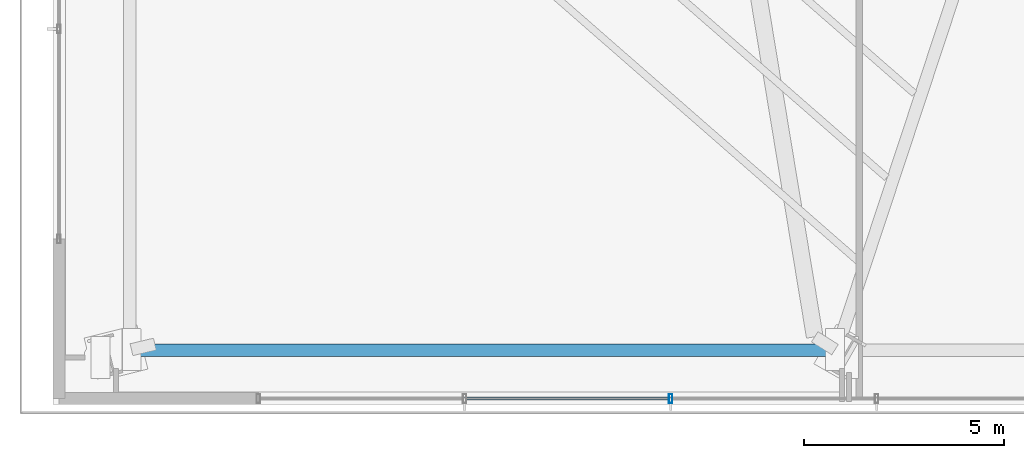
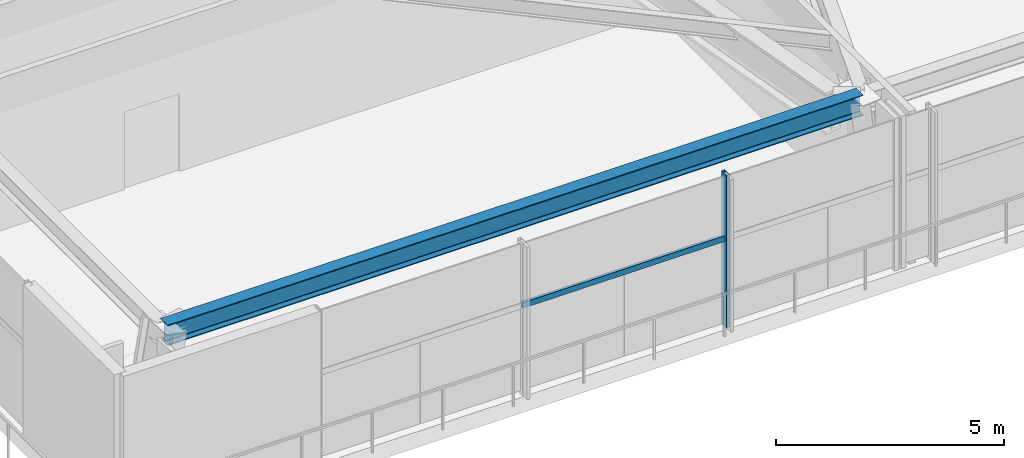
# One storey, part 3 of 36: 2 members, 1 beam, 1 element without a shape of its own.
"""IFC4 building model written with IfcOpenShell, lengths in metres."""

import ifcopenshell
import ifcopenshell.guid

model = None  # the IFC model being written
_history = None  # IfcOwnerHistory: only IFC2X3 demands one
_inside = {}  # id of a spatial element -> (the spatial element, [elements in it])
_under = {}  # id of a project, library or spatial element -> (it, [spatial elements below it])
_declared = {}  # id of a project -> (the project, [libraries it declares])
_typed = {}  # id of a type object -> (the type object, [elements of that type])
_made_of = {}  # id of a material, layer set ... -> (it, [elements and type objects made of it])


def new_model(schema):
    """Start an empty IFC model of exactly this schema.

    Asked for "IFC4X3", IfcOpenShell would pick the latest addendum, in which some entities
    have other attributes; the version numbers below select the first issue.
    IFC2X3 requires an IfcOwnerHistory on every rooted entity: one is made here for all.
    """
    global model, _history
    if schema == "IFC4X3":
        model = ifcopenshell.file(schema_version=(4, 3, 0, 0))
    else:
        model = ifcopenshell.file(schema=schema)
    _inside.clear()
    _under.clear()
    _declared.clear()
    _typed.clear()
    _made_of.clear()
    _history = None
    if model.schema == "IFC2X3":
        org = make("IfcOrganization", Name="unknown")
        user = make(
            "IfcPersonAndOrganization",
            ThePerson=make("IfcPerson", FamilyName="unknown"),
            TheOrganization=org,
        )
        app = make(
            "IfcApplication",
            ApplicationDeveloper=org,
            Version="unknown",
            ApplicationFullName="unknown",
            ApplicationIdentifier="unknown",
        )
        _history = make(
            "IfcOwnerHistory",
            OwningUser=user,
            OwningApplication=app,
            ChangeAction="ADDED",
            CreationDate=0,
        )
    return model


def make(cls, **values):
    """One entity of the class cls with the attributes given. An attribute that is None is left unset."""
    return model.create_entity(
        cls, **{name: value for name, value in values.items() if value is not None}
    )


def rooted(cls, **values):
    """An entity with a GlobalId (a new one), such as an element, a storey or a relation."""
    return make(cls, GlobalId=ifcopenshell.guid.new(), OwnerHistory=_history, **values)


def si_unit(unit_type, name, prefix=None):
    """IfcSIUnit, for example si_unit("LENGTHUNIT", "METRE", prefix="MILLI")."""
    return make("IfcSIUnit", UnitType=unit_type, Prefix=prefix, Name=name)


def assignment(units):
    """IfcUnitAssignment: the units of a project."""
    return None if units is None else make("IfcUnitAssignment", Units=units)


def point(xyz):
    """IfcCartesianPoint."""
    return None if xyz is None else make("IfcCartesianPoint", Coordinates=xyz)


def direction(xyz):
    """IfcDirection."""
    return None if xyz is None else make("IfcDirection", DirectionRatios=xyz)


def frame(location, z_axis=None, x_axis=None):
    """IfcAxis2Placement3D, a coordinate frame: its origin and axes. An axis left out is left unset."""
    return make(
        "IfcAxis2Placement3D",
        Location=point(location),
        Axis=direction(z_axis),
        RefDirection=direction(x_axis),
    )


def frame_2d(location, x_axis=None):
    """IfcAxis2Placement2D, a coordinate frame in the plane: its origin and x axis."""
    return make(
        "IfcAxis2Placement2D", Location=point(location), RefDirection=direction(x_axis)
    )


def origin():
    """The frame at (0, 0, 0) with its axes left unset."""
    return frame((0.0, 0.0, 0.0))


def origin_2d():
    """The frame at (0, 0) in the plane with its x axis left unset."""
    return frame_2d((0.0, 0.0))


def place(relative_to, where):
    """IfcLocalPlacement: puts the frame where relative to a parent placement (None: the world)."""
    return make(
        "IfcLocalPlacement", PlacementRelTo=relative_to, RelativePlacement=where
    )


def context(
    kind, dimensions, precision=None, world=None, true_north=None, identifier=None
):
    """IfcGeometricRepresentationContext, for example the 3D "Model" context."""
    return make(
        "IfcGeometricRepresentationContext",
        ContextIdentifier=identifier,
        ContextType=kind,
        CoordinateSpaceDimension=dimensions,
        Precision=precision,
        WorldCoordinateSystem=world,
        TrueNorth=true_north,
    )


def subcontext(parent, identifier, kind, view, scale=None):
    """IfcGeometricRepresentationSubContext, for example "Body" below "Model"."""
    return make(
        "IfcGeometricRepresentationSubContext",
        ContextIdentifier=identifier,
        ContextType=kind,
        ParentContext=parent,
        TargetScale=scale,
        TargetView=view,
    )


def project(units=None, contexts=None):
    """IfcProject with its units and contexts."""
    return rooted(
        "IfcProject",
        Name="project",
        RepresentationContexts=contexts,
        UnitsInContext=assignment(units),
    )


def spatial(cls, under=None, at=None, **own):
    """A site, building, storey or space (cls), placed at a placement, below another one or the project."""
    s = rooted(cls, ObjectPlacement=at, **own)
    if under is not None:
        _under.setdefault(under.id(), (under, []))[1].append(s)
    return s


def profile(cls, at=None, kind="AREA", **sizes):
    """A parametric profile (cls). Its sizes go by their IFC names, for example OverallWidth=200.0."""
    return make(cls, ProfileType=kind, Position=at, **sizes)


def hollow_rectangle(**sizes):
    """IfcRectangleHollowProfileDef."""
    return profile("IfcRectangleHollowProfileDef", **sizes)


def i_section(**sizes):
    """IfcIShapeProfileDef."""
    return profile("IfcIShapeProfileDef", **sizes)


def extrude(swept, where, along, depth):
    """IfcExtrudedAreaSolid: the profile swept, set in the frame where, extruded along a direction by depth."""
    return make(
        "IfcExtrudedAreaSolid",
        SweptArea=swept,
        Position=where,
        ExtrudedDirection=direction(along),
        Depth=depth,
    )


def shape(context_of_items, identifier, shape_type, items):
    """IfcShapeRepresentation: the items that make up one representation, for example the "Body"."""
    return make(
        "IfcShapeRepresentation",
        ContextOfItems=context_of_items,
        RepresentationIdentifier=identifier,
        RepresentationType=shape_type,
        Items=items,
    )


def source(mapping_origin, context_of_items, identifier, shape_type, items):
    """IfcRepresentationMap: a shape defined once, which mapped items show again and again."""
    return make(
        "IfcRepresentationMap",
        MappingOrigin=mapping_origin,
        MappedRepresentation=shape(context_of_items, identifier, shape_type, items),
    )


def transform(
    local_origin,
    x_axis=None,
    y_axis=None,
    z_axis=None,
    scale=None,
    scale2=None,
    scale3=None,
    uniform=True,
):
    """IfcCartesianTransformationOperator3D, or its non-uniform kind. x_axis, y_axis, z_axis: its Axis1, 2, 3."""
    if uniform:
        return make(
            "IfcCartesianTransformationOperator3D",
            Axis1=direction(x_axis),
            Axis2=direction(y_axis),
            LocalOrigin=point(local_origin),
            Scale=scale,
            Axis3=direction(z_axis),
        )
    return make(
        "IfcCartesianTransformationOperator3DnonUniform",
        Axis1=direction(x_axis),
        Axis2=direction(y_axis),
        LocalOrigin=point(local_origin),
        Scale=scale,
        Axis3=direction(z_axis),
        Scale2=scale2,
        Scale3=scale3,
    )


def mapped(mapping_source, mapping_target):
    """IfcMappedItem: shows the shape of a source again, moved by a transform."""
    return make(
        "IfcMappedItem", MappingSource=mapping_source, MappingTarget=mapping_target
    )


def material(Name=None, Category=None):
    """IfcMaterial."""
    return make("IfcMaterial", Name=Name, Category=Category)


def material_profile(
    of_material, cross_section, Name=None, Category=None, Priority=None
):
    """IfcMaterialProfile: a cross section and its material."""
    return make(
        "IfcMaterialProfile",
        Name=Name,
        Material=of_material,
        Profile=cross_section,
        Priority=Priority,
        Category=Category,
    )


def profile_set(profiles, Name=None, composite=None):
    """IfcMaterialProfileSet."""
    return make(
        "IfcMaterialProfileSet",
        Name=Name,
        MaterialProfiles=profiles,
        CompositeProfile=composite,
    )


def made_of(thing, what):
    """Note that an element or type object is made of a material, layer set ...; save() writes the relation."""
    if what is not None:
        _made_of.setdefault(what.id(), (what, []))[1].append(thing)
    return thing


def type_object(cls, material=None, **own):
    """A type object (cls), such as IfcWallType, which elements share."""
    return made_of(rooted(cls, **own), material)


def type_shapes(of_type, sources):
    """Give a type object the sources (RepresentationMaps) that its elements show as mapped items."""
    of_type.RepresentationMaps = sources


def element(
    cls,
    number,
    at=None,
    inside=None,
    cuts=None,
    type_object=None,
    material=None,
    context=None,
    identifier="Body",
    shape_type=None,
    held_by="IfcProductDefinitionShape",
    body=None,
    shapes=None,
    **own,
):
    """One element of the class cls, such as IfcWall. Its Tag is "e" and its number.

    at: its placement. inside: the storey or other place that contains it. cuts: it is an
    opening in that element (IfcRelVoidsElement). A single representation is given by context,
    identifier, shape_type and body (its items); several are given by shapes. held_by: the class
    of the entity that holds the representations. save() writes the other relations.
    """
    e = rooted(cls, Tag="e%d" % number, ObjectPlacement=at, **own)
    if body is not None:
        shapes = [shape(context, identifier, shape_type, body)]
    if shapes is not None:
        e.Representation = make(held_by, Representations=shapes)
    if inside is not None:
        _inside.setdefault(inside.id(), (inside, []))[1].append(e)
    if cuts is not None:
        rooted(
            "IfcRelVoidsElement", RelatingBuildingElement=cuts, RelatedOpeningElement=e
        )
    if type_object is not None:
        _typed.setdefault(type_object.id(), (type_object, []))[1].append(e)
    return made_of(e, material)


def aggregate(whole, parts):
    """IfcRelAggregates: a whole, such as a stair, and the parts it consists of."""
    return rooted("IfcRelAggregates", RelatingObject=whole, RelatedObjects=parts)


def save(model, path):
    """Write the relations noted so far, then the file.

    IfcRelAggregates (storeys below a building ...), IfcRelContainedInSpatialStructure (elements
    in a storey), IfcRelDefinesByType, IfcRelAssociatesMaterial and IfcRelDeclares: one each for
    every whole, place, type object, material and project.
    """
    for whole, parts in _under.values():
        aggregate(whole, parts)
    for where, things in _inside.values():
        rooted(
            "IfcRelContainedInSpatialStructure",
            RelatedElements=things,
            RelatingStructure=where,
        )
    for kind, things in _typed.values():
        rooted("IfcRelDefinesByType", RelatedObjects=things, RelatingType=kind)
    for what, things in _made_of.values():
        rooted("IfcRelAssociatesMaterial", RelatedObjects=things, RelatingMaterial=what)
    for by, libraries in _declared.values():
        rooted("IfcRelDeclares", RelatingContext=by, RelatedDefinitions=libraries)
    model.write(path)


model = new_model("IFC4")

# Units and contexts
model_context = context("Model", 3, precision=1e-05, world=origin(), true_north=direction((0.0, 1.0)))
body_context = subcontext(model_context, "Body", "Model", "MODEL_VIEW")
ifc_project = project(units=[si_unit("LENGTHUNIT", "METRE"), si_unit("AREAUNIT", "SQUARE_METRE"), si_unit("VOLUMEUNIT", "CUBIC_METRE"), si_unit("PLANEANGLEUNIT", "RADIAN"), si_unit("MASSUNIT", "GRAM", prefix="KILO")], contexts=[model_context])

# Site, building, storey
site_placement = place(None, origin())
site = spatial("IfcSite", under=ifc_project, at=site_placement, CompositionType="ELEMENT")
building_placement = place(site_placement, origin())
building = spatial("IfcBuilding", under=site, at=building_placement, Name="Astriad Promenade Condominiums", CompositionType="ELEMENT")
storey_placement = place(building_placement, frame((0.0, 0.0, 5.0)))
storey = spatial("IfcBuildingStorey", under=building, at=storey_placement, Name="L01", CompositionType="ELEMENT", Elevation=5.0)

# Beam
ifc_material_1 = material(Name="Steel ASTM A992 Grade 50", Category="steel")
ifc_material_profile_1 = material_profile(ifc_material_1, i_section(OverallWidth=0.3134765625, OverallDepth=0.54638671875, WebThickness=0.013916015625, FlangeThickness=0.022216796875, FilletRadius=0.0166015625, at=origin_2d()), Name="W21X111")
ifc_profile_set_1 = profile_set([ifc_material_profile_1], Name="Steel ASTM A992 Grade 50")
beam_type = type_object("IfcBeamType", Name="STEEL SPANDREL BEAM W21X111", PredefinedType="SPANDREL", material=ifc_profile_set_1)
shared_shape_1 = source(origin(), body_context, "Body", "SweptSolid", [
    extrude(i_section(OverallWidth=0.3134765625, OverallDepth=0.54638671875, WebThickness=0.013916015625, FlangeThickness=0.022216796875, FilletRadius=0.0166015625, at=origin_2d()), origin(), (0.0, 0.0, 1.0), 17.60693359375),
])
type_shapes(beam_type, [shared_shape_1])
beam_placement = place(storey_placement, frame((3.7666015625, 2.36669921875, 3.806884765625), z_axis=(1.0, 0.0, 0.0), x_axis=(0.0, 1.0, 0.0)))
element("IfcBeam", 1, at=beam_placement, inside=storey, type_object=beam_type, Name="Perimeter Spandrel Beam SP-S1-L01", PredefinedType="SPANDREL", context=body_context, shape_type="MappedRepresentation", body=[
    mapped(shared_shape_1, transform((0.0, 0.0, 0.0), scale=1.0)),
])

# Curtain wall, members
ifc_material_2 = material(Name="Anodised aluminium Black Dark Glass Unitised", Category="aluminium")
curtain_wall_type = type_object("IfcCurtainWallType", Name="CW-POD-DARK", PredefinedType="USERDEFINED", material=ifc_material_2)
curtain_wall_placement = place(storey_placement, origin())
curtain_wall = element("IfcCurtainWall", 2, at=curtain_wall_placement, inside=storey, type_object=curtain_wall_type, Name="CW-L01-S", ObjectType="UNITISED_CURTAIN_WALL", PredefinedType="USERDEFINED")
ifc_material_3 = material(Name="Anodised aluminium 6063-T6 Black", Category="aluminium")
ifc_material_profile_2 = material_profile(ifc_material_3, hollow_rectangle(XDim=0.0849609375, YDim=0.219970703125, WallThickness=0.0048828125, at=origin_2d()), Name="ALU-MUL-85X220")
ifc_profile_set_2 = profile_set([ifc_material_profile_2], Name="Anodised aluminium 6063-T6 Black")
member_type_1 = type_object("IfcMemberType", Name="MUL-ALU-MUL-85X220", PredefinedType="MULLION", material=ifc_profile_set_2)
shared_shape_2 = source(origin(), body_context, "Body", "SweptSolid", [
    extrude(hollow_rectangle(XDim=0.0849609375, YDim=0.219970703125, WallThickness=0.0048828125, at=origin_2d()), origin(), (0.0, 0.0, 1.0), 4.080078125),
])
type_shapes(member_type_1, [shared_shape_2])
member_1_placement = place(storey_placement, frame((17.273193359375, 1.14990234375, 0.0), z_axis=(0.0, 0.0, 1.0), x_axis=(1.0, 0.0, 0.0)))
member_1 = element("IfcMember", 3, at=member_1_placement, type_object=member_type_1, Name="CW-L01-S-MUL-11", PredefinedType="MULLION", context=body_context, shape_type="MappedRepresentation", body=[
    mapped(shared_shape_2, transform((0.0, 0.0, 0.0), scale=1.0)),
])
ifc_material_profile_3 = material_profile(ifc_material_3, hollow_rectangle(XDim=0.074951171875, YDim=0.14990234375, WallThickness=0.004150390625, at=origin_2d()), Name="ALU-TRN-75X150")
ifc_profile_set_3 = profile_set([ifc_material_profile_3], Name="Anodised aluminium 6063-T6 Black")
member_type_2 = type_object("IfcMemberType", Name="TRN-ALU-TRN-75X150", PredefinedType="USERDEFINED", material=ifc_profile_set_3)
shared_shape_3 = source(origin(), body_context, "Body", "SweptSolid", [
    extrude(hollow_rectangle(XDim=0.074951171875, YDim=0.14990234375, WallThickness=0.004150390625, at=origin_2d()), origin(), (0.0, 0.0, 1.0), 5.16162109375),
])
type_shapes(member_type_2, [shared_shape_3])
member_2_placement = place(storey_placement, frame((17.273193359375, 1.14990234375, 2.35009765625), z_axis=(-1.0, 0.0, 0.0), x_axis=(0.0, -1.0, 0.0)))
member_2 = element("IfcMember", 4, at=member_2_placement, type_object=member_type_2, Name="CW-L01-S-TRN-11-0", ObjectType="TRANSOM", PredefinedType="USERDEFINED", context=body_context, shape_type="MappedRepresentation", body=[
    mapped(shared_shape_3, transform((0.0, 0.0, 0.0), scale=1.0)),
])
aggregate(curtain_wall, [member_1, member_2])

save(model, "model.ifc")
